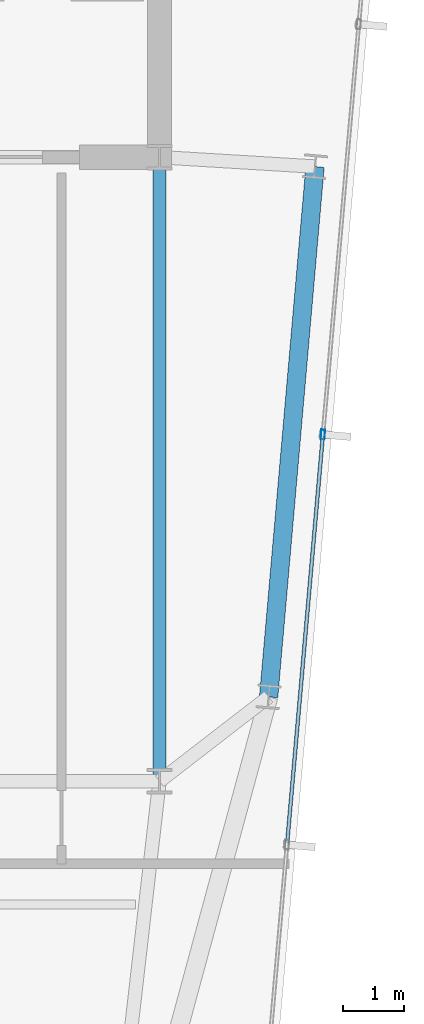
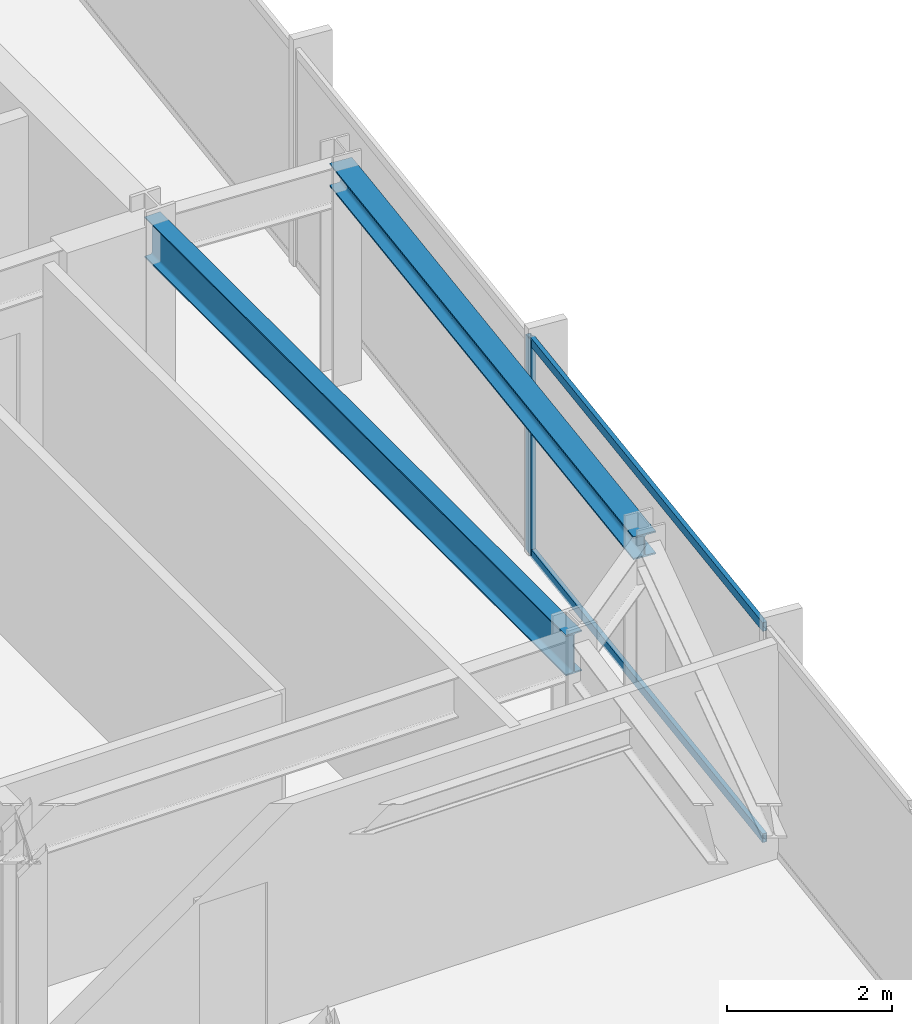
# One storey, part 17 of 33: 3 members, 2 beams, 1 element without a shape of its own.
"""IFC4 building model written with IfcOpenShell, lengths in metres."""

from ifc_helpers import new_model, si_unit, direction, frame, origin, origin_2d, place, context, subcontext, project, spatial, hollow_rectangle, i_section, extrude, material, material_profile, profile_set, type_object, element, aggregate, save


model = new_model("IFC4")

# Units and contexts
model_context = context("Model", 3, precision=1e-05, world=origin(), true_north=direction((0.0, 1.0)))
body_context = subcontext(model_context, "Body", "Model", "MODEL_VIEW")
ifc_project = project(units=[si_unit("LENGTHUNIT", "METRE"), si_unit("AREAUNIT", "SQUARE_METRE"), si_unit("VOLUMEUNIT", "CUBIC_METRE"), si_unit("PLANEANGLEUNIT", "RADIAN"), si_unit("MASSUNIT", "GRAM", prefix="KILO")], contexts=[model_context])

# Site, building, storey
site_placement = place(None, origin())
site = spatial("IfcSite", under=ifc_project, at=site_placement, CompositionType="ELEMENT")
building_placement = place(site_placement, origin())
building = spatial("IfcBuilding", under=site, at=building_placement, Name="Yelkora Congress Tower", CompositionType="ELEMENT")
storey_placement = place(building_placement, frame((0.0, 0.0, 282.89990234375)))
storey = spatial("IfcBuildingStorey", under=building, at=storey_placement, Name="L79", CompositionType="ELEMENT", Elevation=282.89990234375)

# Beams
ifc_material_1 = material(Name="Steel S355J2", Category="steel")
ifc_material_profile_1 = material_profile(ifc_material_1, i_section(OverallWidth=0.219970703125, OverallDepth=0.60009765625, WebThickness=0.011962890625, FlangeThickness=0.01904296875, FilletRadius=0.02392578125, at=origin_2d()), Name="IPE 600")
ifc_profile_set_1 = profile_set([ifc_material_profile_1], Name="Steel S355J2")
beam_type_1 = type_object("IfcBeamType", Name="BM-GIRD-IPE600", PredefinedType="BEAM", material=ifc_profile_set_1)
beam_1_placement = place(storey_placement, frame((53.760009765625, 25.199951171875, 2.880126953125), z_axis=(0.0, 1.0, 0.0), x_axis=(-1.0, 0.0, 0.0)))
element("IfcBeam", 1, at=beam_1_placement, inside=storey, type_object=beam_type_1, Name="L79 Core Tie Girder MC-D5", PredefinedType="BEAM", context=body_context, shape_type="SweptSolid", body=[
    extrude(i_section(OverallWidth=0.219970703125, OverallDepth=0.60009765625, WebThickness=0.011962890625, FlangeThickness=0.01904296875, FilletRadius=0.02392578125, at=origin_2d()), origin(), (0.0, 0.0, 1.0), 10.199951171875),
])
ifc_material_profile_2 = material_profile(ifc_material_1, i_section(OverallWidth=0.300048828125, OverallDepth=0.340087890625, WebThickness=0.011962890625, FlangeThickness=0.021484375, FilletRadius=0.027099609375, at=origin_2d()), Name="HEB 340")
ifc_profile_set_2 = profile_set([ifc_material_profile_2], Name="Steel S355J2")
beam_type_2 = type_object("IfcBeamType", Name="BM-SPAN-HEB340", PredefinedType="SPANDREL", material=ifc_profile_set_2)
beam_2_placement = place(storey_placement, frame((55.543701171875, 26.57861328125, 3.010009765625), z_axis=(0.08715998813, 0.99619432666, 0.0), x_axis=(-0.99619432666, 0.08715998813, 0.0)))
element("IfcBeam", 2, at=beam_2_placement, inside=storey, type_object=beam_type_2, Name="L79 Perimeter Beam 8", PredefinedType="SPANDREL", context=body_context, shape_type="SweptSolid", body=[
    extrude(i_section(OverallWidth=0.300048828125, OverallDepth=0.340087890625, WebThickness=0.011962890625, FlangeThickness=0.021484375, FilletRadius=0.027099609375, at=origin_2d()), origin(), (0.0, 0.0, 1.0), 8.7001953125),
])

# Curtain wall, members
ifc_material_2 = material(Name="Anodised aluminium and insulated glass", Category="aluminium")
curtain_wall_type = type_object("IfcCurtainWallType", Name="CW-SYS-B5", PredefinedType="NOTDEFINED", material=ifc_material_2)
curtain_wall_placement = place(storey_placement, origin())
curtain_wall = element("IfcCurtainWall", 3, at=curtain_wall_placement, inside=storey, type_object=curtain_wall_type, Name="L79 Unitised Curtain Wall 15", PredefinedType="NOTDEFINED")
ifc_material_3 = material(Name="Anodised aluminium 6063-T6", Category="aluminium")
ifc_material_profile_3 = material_profile(ifc_material_3, hollow_rectangle(XDim=0.06494140625, YDim=0.159912109375, WallThickness=0.00390625, at=origin_2d()), Name="ALU 65x160x4")
ifc_profile_set_3 = profile_set([ifc_material_profile_3], Name="Anodised aluminium 6063-T6")
member_type_1 = type_object("IfcMemberType", Name="MEM-ML-B5", PredefinedType="MULLION", material=ifc_profile_set_3)
member_1_placement = place(storey_placement, frame((56.430908203125, 30.867431640625, 0.0), z_axis=(0.0, 0.0, 1.0), x_axis=(0.996194463398, -0.087158425264, 0.0)))
member_1 = element("IfcMember", 4, at=member_1_placement, type_object=member_type_1, Name="CW-B5 mullion 3", PredefinedType="MULLION", context=body_context, shape_type="SweptSolid", body=[
    extrude(hollow_rectangle(XDim=0.06494140625, YDim=0.159912109375, WallThickness=0.00390625, at=origin_2d()), origin(), (0.0, 0.0, 1.0), 3.18017578125),
])
ifc_material_profile_4 = material_profile(ifc_material_3, hollow_rectangle(XDim=0.06005859375, YDim=0.1298828125, WallThickness=0.00390625, at=origin_2d()), Name="ALU 60x130x4")
ifc_profile_set_4 = profile_set([ifc_material_profile_4], Name="Anodised aluminium 6063-T6")
member_type_2 = type_object("IfcMemberType", Name="MEM-TR-B5", PredefinedType="USERDEFINED", material=ifc_profile_set_4)
member_2_placement = place(storey_placement, frame((56.42822265625, 30.835205078125, 0.030029296875), z_axis=(-0.087179673403, -0.996192604141, 0.0), x_axis=(0.996192604141, -0.087179673403, 0.0)))
member_2 = element("IfcMember", 5, at=member_2_placement, type_object=member_type_2, Name="CW-B5 transom 3.1", ObjectType="TRANSOM", PredefinedType="USERDEFINED", context=body_context, shape_type="SweptSolid", body=[
    extrude(hollow_rectangle(XDim=0.06005859375, YDim=0.1298828125, WallThickness=0.00390625, at=origin_2d()), origin(), (0.0, 0.0, 1.0), 6.6650390625),
])
member_3_placement = place(storey_placement, frame((56.42822265625, 30.835205078125, 3.150146484375), z_axis=(-0.087179673403, -0.996192604141, 0.0), x_axis=(0.996192604141, -0.087179673403, 0.0)))
member_3 = element("IfcMember", 6, at=member_3_placement, type_object=member_type_2, Name="CW-B5 transom 3.2", ObjectType="TRANSOM", PredefinedType="USERDEFINED", context=body_context, shape_type="SweptSolid", body=[
    extrude(hollow_rectangle(XDim=0.06005859375, YDim=0.1298828125, WallThickness=0.00390625, at=origin_2d()), origin(), (0.0, 0.0, 1.0), 6.6650390625),
])
aggregate(curtain_wall, [member_1, member_2, member_3])

save(model, "model.ifc")
